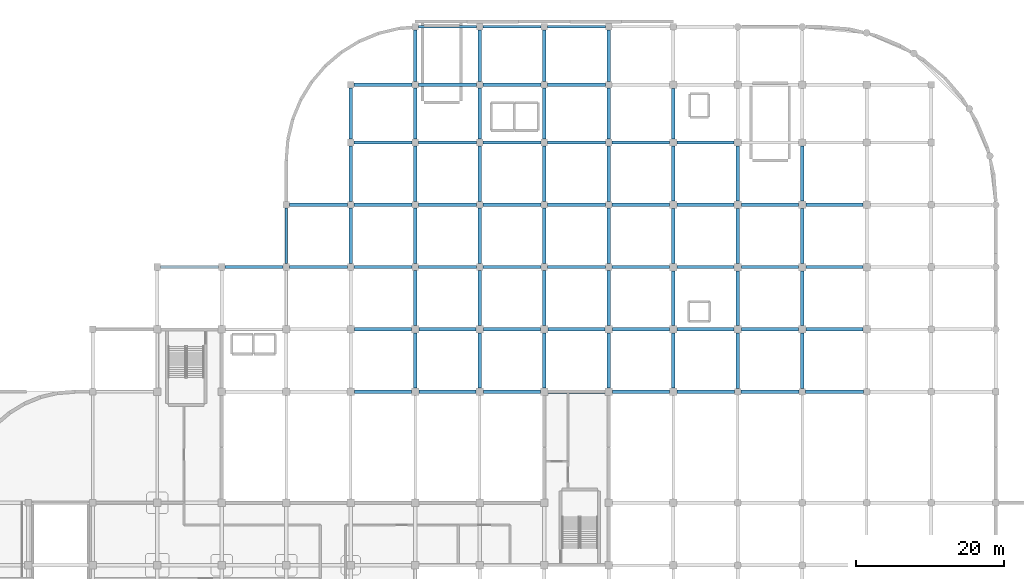
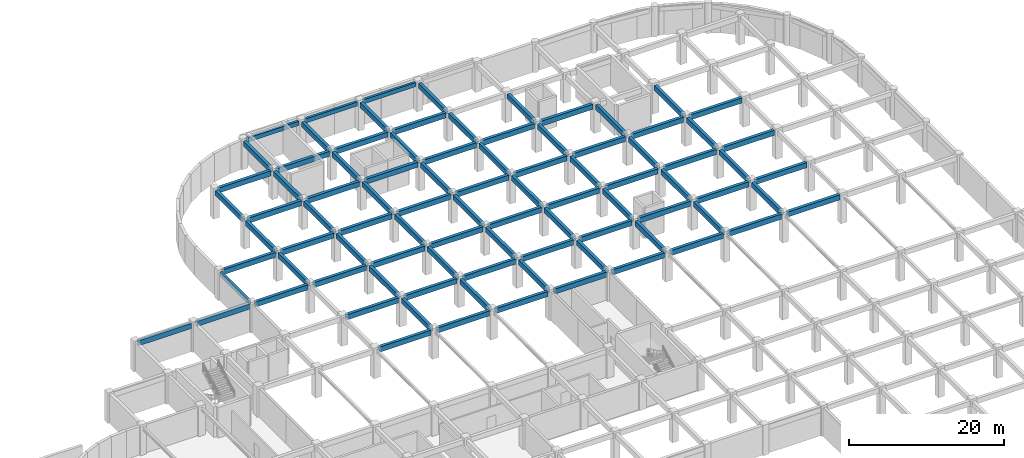
# One storey, part 4 of 19: 90 beams.
"""IFC4 building model written with IfcOpenShell, lengths in metres."""

from ifc_helpers import new_model, si_unit, derived_unit, direction, frame, origin, origin_2d, place, context, subcontext, project, spatial, rectangle, extrude, material, material_profile, profile_set, type_object, element, save


model = new_model("IFC4")

# Units and contexts
model_context = context("Model", 3, precision=1e-05, world=origin(), true_north=direction((0.0, 1.0)))
body_context = subcontext(model_context, "Body", "Model", "MODEL_VIEW")
ifc_project = project(units=[si_unit("LENGTHUNIT", "METRE"), si_unit("AREAUNIT", "SQUARE_METRE"), si_unit("VOLUMEUNIT", "CUBIC_METRE"), si_unit("PLANEANGLEUNIT", "RADIAN"), si_unit("MASSUNIT", "GRAM", prefix="KILO"), derived_unit("THERMALTRANSMITTANCEUNIT", [(si_unit("MASSUNIT", "GRAM", prefix="KILO"), 1), (si_unit("TIMEUNIT", "SECOND"), -3), (si_unit("THERMODYNAMICTEMPERATUREUNIT", "KELVIN"), -1)])], contexts=[model_context])

# Site, building, storey
site_placement = place(None, origin())
site = spatial("IfcSite", under=ifc_project, at=site_placement, CompositionType="ELEMENT")
building_placement = place(site_placement, origin())
building = spatial("IfcBuilding", under=site, at=building_placement, Name="Qinzheling Arcade Emporium", CompositionType="ELEMENT")
storey_placement = place(building_placement, frame((0.0, 0.0, -4.800048828125)))
storey = spatial("IfcBuildingStorey", under=building, at=storey_placement, Name="B1", CompositionType="ELEMENT", Elevation=-4.800048828125)

# Beams
ifc_material = material(Name="Concrete C40", Category="concrete")
ifc_material_profile_1 = material_profile(ifc_material, rectangle(XDim=0.449951171875, YDim=0.800048828125, at=origin_2d()), Name="RC 450x800", Category="concrete")
ifc_profile_set_1 = profile_set([ifc_material_profile_1], Name="Concrete C40")
beam_type_1 = type_object("IfcBeamType", Name="RC Primary Frame Beam 450x800 C40", PredefinedType="BEAM", material=ifc_profile_set_1)
beam_1_placement = place(storey_placement, frame((61.39990234375, 65.39990234375, 4.06005859375), z_axis=(1.0, 0.0, 0.0), x_axis=(0.0, 1.0, 0.0)))
element("IfcBeam", 1, at=beam_1_placement, inside=storey, type_object=beam_type_1, Name="Beam BM-B1-X-H-8", PredefinedType="BEAM", context=body_context, shape_type="SweptSolid", body=[
    extrude(rectangle(XDim=0.449951171875, YDim=0.800048828125, at=origin_2d()), origin(), (0.0, 0.0, 1.0), 7.7001953125),
])
for number, where, z_axis, x_axis, name in (
    (2, (70.10009765625, 65.39990234375, 4.06005859375), (1.0, 0.0, 0.0), (0.0, 1.0, 0.0), "Beam BM-B1-X-H-9"),
    (3, (78.800048828125, 65.39990234375, 4.06005859375), (1.0, 0.0, 0.0), (0.0, 1.0, 0.0), "Beam BM-B1-X-H-10"),
    (4, (87.5, 65.39990234375, 4.06005859375), (1.0, 0.0, 0.0), (0.0, 1.0, 0.0), "Beam BM-B1-X-H-11"),
    (5, (96.199951171875, 65.39990234375, 4.06005859375), (1.0, 0.0, 0.0), (0.0, 1.0, 0.0), "Beam BM-B1-X-H-12"),
):
    element("IfcBeam", number, at=place(storey_placement, frame(where, z_axis=z_axis, x_axis=x_axis)), inside=storey, type_object=beam_type_1, Name=name, PredefinedType="BEAM", context=body_context, shape_type="SweptSolid", body=[
        extrude(rectangle(XDim=0.449951171875, YDim=0.800048828125, at=origin_2d()), origin(), (0.0, 0.0, 1.0), 7.699951171875),
    ])
beam_2_placement = place(storey_placement, frame((104.89990234375, 65.39990234375, 4.06005859375), z_axis=(1.0, 0.0, 0.0), x_axis=(0.0, 1.0, 0.0)))
element("IfcBeam", 6, at=beam_2_placement, inside=storey, type_object=beam_type_1, Name="Beam BM-B1-X-H-13", PredefinedType="BEAM", context=body_context, shape_type="SweptSolid", body=[
    extrude(rectangle(XDim=0.449951171875, YDim=0.800048828125, at=origin_2d()), origin(), (0.0, 0.0, 1.0), 7.75),
])
for number, where, z_axis, x_axis, name in (
    (7, (113.550048828125, 65.39990234375, 4.06005859375), (1.0, 0.0, 0.0), (0.0, 1.0, 0.0), "Beam BM-B1-X-H-14"),
    (8, (122.25, 65.39990234375, 4.06005859375), (1.0, 0.0, 0.0), (0.0, 1.0, 0.0), "Beam BM-B1-X-H-15"),
):
    element("IfcBeam", number, at=place(storey_placement, frame(where, z_axis=z_axis, x_axis=x_axis)), inside=storey, type_object=beam_type_1, Name=name, PredefinedType="BEAM", context=body_context, shape_type="SweptSolid", body=[
        extrude(rectangle(XDim=0.449951171875, YDim=0.800048828125, at=origin_2d()), origin(), (0.0, 0.0, 1.0), 7.800048828125),
    ])
beam_3_placement = place(storey_placement, frame((61.39990234375, 73.800048828125, 4.06005859375), z_axis=(1.0, 0.0, 0.0), x_axis=(0.0, 1.0, 0.0)))
element("IfcBeam", 9, at=beam_3_placement, inside=storey, type_object=beam_type_1, Name="Beam BM-B1-X-J-8", PredefinedType="BEAM", context=body_context, shape_type="SweptSolid", body=[
    extrude(rectangle(XDim=0.449951171875, YDim=0.800048828125, at=origin_2d()), origin(), (0.0, 0.0, 1.0), 7.7001953125),
])
for number, where, z_axis, x_axis, name in (
    (10, (70.10009765625, 73.800048828125, 4.06005859375), (1.0, 0.0, 0.0), (0.0, 1.0, 0.0), "Beam BM-B1-X-J-9"),
    (11, (78.800048828125, 73.800048828125, 4.06005859375), (1.0, 0.0, 0.0), (0.0, 1.0, 0.0), "Beam BM-B1-X-J-10"),
    (12, (87.5, 73.800048828125, 4.06005859375), (1.0, 0.0, 0.0), (0.0, 1.0, 0.0), "Beam BM-B1-X-J-11"),
    (13, (96.199951171875, 73.800048828125, 4.06005859375), (1.0, 0.0, 0.0), (0.0, 1.0, 0.0), "Beam BM-B1-X-J-12"),
):
    element("IfcBeam", number, at=place(storey_placement, frame(where, z_axis=z_axis, x_axis=x_axis)), inside=storey, type_object=beam_type_1, Name=name, PredefinedType="BEAM", context=body_context, shape_type="SweptSolid", body=[
        extrude(rectangle(XDim=0.449951171875, YDim=0.800048828125, at=origin_2d()), origin(), (0.0, 0.0, 1.0), 7.699951171875),
    ])
beam_4_placement = place(storey_placement, frame((104.89990234375, 73.800048828125, 4.06005859375), z_axis=(1.0, 0.0, 0.0), x_axis=(0.0, 1.0, 0.0)))
element("IfcBeam", 14, at=beam_4_placement, inside=storey, type_object=beam_type_1, Name="Beam BM-B1-X-J-13", PredefinedType="BEAM", context=body_context, shape_type="SweptSolid", body=[
    extrude(rectangle(XDim=0.449951171875, YDim=0.800048828125, at=origin_2d()), origin(), (0.0, 0.0, 1.0), 7.7001953125),
])
for number, where, z_axis, x_axis, name in (
    (15, (113.60009765625, 73.800048828125, 4.06005859375), (1.0, 0.0, 0.0), (0.0, 1.0, 0.0), "Beam BM-B1-X-J-14"),
    (16, (122.300048828125, 73.800048828125, 4.06005859375), (1.0, 0.0, 0.0), (0.0, 1.0, 0.0), "Beam BM-B1-X-J-15"),
):
    element("IfcBeam", number, at=place(storey_placement, frame(where, z_axis=z_axis, x_axis=x_axis)), inside=storey, type_object=beam_type_1, Name=name, PredefinedType="BEAM", context=body_context, shape_type="SweptSolid", body=[
        extrude(rectangle(XDim=0.449951171875, YDim=0.800048828125, at=origin_2d()), origin(), (0.0, 0.0, 1.0), 7.699951171875),
    ])
for number, where, z_axis, x_axis, name in (
    (17, (35.25, 82.199951171875, 4.06005859375), (1.0, 0.0, 0.0), (0.0, 1.0, 0.0), "Beam BM-B1-X-K-5"),
    (18, (43.949951171875, 82.199951171875, 4.06005859375), (1.0, 0.0, 0.0), (0.0, 1.0, 0.0), "Beam BM-B1-X-K-6"),
    (19, (52.64990234375, 82.199951171875, 4.06005859375), (1.0, 0.0, 0.0), (0.0, 1.0, 0.0), "Beam BM-B1-X-K-7"),
):
    element("IfcBeam", number, at=place(storey_placement, frame(where, z_axis=z_axis, x_axis=x_axis)), inside=storey, type_object=beam_type_1, Name=name, PredefinedType="BEAM", context=body_context, shape_type="SweptSolid", body=[
        extrude(rectangle(XDim=0.449951171875, YDim=0.800048828125, at=origin_2d()), origin(), (0.0, 0.0, 1.0), 7.800048828125),
    ])
beam_5_placement = place(storey_placement, frame((61.35009765625, 82.199951171875, 4.06005859375), z_axis=(1.0, 0.0, 0.0), x_axis=(0.0, 1.0, 0.0)))
element("IfcBeam", 20, at=beam_5_placement, inside=storey, type_object=beam_type_1, Name="Beam BM-B1-X-K-8", PredefinedType="BEAM", context=body_context, shape_type="SweptSolid", body=[
    extrude(rectangle(XDim=0.449951171875, YDim=0.800048828125, at=origin_2d()), origin(), (0.0, 0.0, 1.0), 7.7998046875),
])
for number, where, z_axis, x_axis, name in (
    (21, (70.050048828125, 82.199951171875, 4.06005859375), (1.0, 0.0, 0.0), (0.0, 1.0, 0.0), "Beam BM-B1-X-K-9"),
    (22, (78.75, 82.199951171875, 4.06005859375), (1.0, 0.0, 0.0), (0.0, 1.0, 0.0), "Beam BM-B1-X-K-10"),
    (23, (87.449951171875, 82.199951171875, 4.06005859375), (1.0, 0.0, 0.0), (0.0, 1.0, 0.0), "Beam BM-B1-X-K-11"),
):
    element("IfcBeam", number, at=place(storey_placement, frame(where, z_axis=z_axis, x_axis=x_axis)), inside=storey, type_object=beam_type_1, Name=name, PredefinedType="BEAM", context=body_context, shape_type="SweptSolid", body=[
        extrude(rectangle(XDim=0.449951171875, YDim=0.800048828125, at=origin_2d()), origin(), (0.0, 0.0, 1.0), 7.800048828125),
    ])
beam_6_placement = place(storey_placement, frame((96.14990234375, 82.199951171875, 4.06005859375), z_axis=(1.0, 0.0, 0.0), x_axis=(0.0, 1.0, 0.0)))
element("IfcBeam", 24, at=beam_6_placement, inside=storey, type_object=beam_type_1, Name="Beam BM-B1-X-K-12", PredefinedType="BEAM", context=body_context, shape_type="SweptSolid", body=[
    extrude(rectangle(XDim=0.449951171875, YDim=0.800048828125, at=origin_2d()), origin(), (0.0, 0.0, 1.0), 7.75),
])
beam_7_placement = place(storey_placement, frame((104.89990234375, 82.199951171875, 4.06005859375), z_axis=(1.0, 0.0, 0.0), x_axis=(0.0, 1.0, 0.0)))
element("IfcBeam", 25, at=beam_7_placement, inside=storey, type_object=beam_type_1, Name="Beam BM-B1-X-K-13", PredefinedType="BEAM", context=body_context, shape_type="SweptSolid", body=[
    extrude(rectangle(XDim=0.449951171875, YDim=0.800048828125, at=origin_2d()), origin(), (0.0, 0.0, 1.0), 7.7001953125),
])
for number, where, z_axis, x_axis, name in (
    (26, (113.60009765625, 82.199951171875, 4.06005859375), (1.0, 0.0, 0.0), (0.0, 1.0, 0.0), "Beam BM-B1-X-K-14"),
    (27, (122.300048828125, 82.199951171875, 4.06005859375), (1.0, 0.0, 0.0), (0.0, 1.0, 0.0), "Beam BM-B1-X-K-15"),
):
    element("IfcBeam", number, at=place(storey_placement, frame(where, z_axis=z_axis, x_axis=x_axis)), inside=storey, type_object=beam_type_1, Name=name, PredefinedType="BEAM", context=body_context, shape_type="SweptSolid", body=[
        extrude(rectangle(XDim=0.449951171875, YDim=0.800048828125, at=origin_2d()), origin(), (0.0, 0.0, 1.0), 7.699951171875),
    ])
beam_8_placement = place(storey_placement, frame((52.64990234375, 90.60009765625, 4.06005859375), z_axis=(1.0, 0.0, 0.0), x_axis=(0.0, 1.0, 0.0)))
element("IfcBeam", 28, at=beam_8_placement, inside=storey, type_object=beam_type_1, Name="Beam BM-B1-X-L-7", PredefinedType="BEAM", context=body_context, shape_type="SweptSolid", body=[
    extrude(rectangle(XDim=0.449951171875, YDim=0.800048828125, at=origin_2d()), origin(), (0.0, 0.0, 1.0), 7.800048828125),
])
beam_9_placement = place(storey_placement, frame((61.35009765625, 90.60009765625, 4.06005859375), z_axis=(1.0, 0.0, 0.0), x_axis=(0.0, 1.0, 0.0)))
element("IfcBeam", 29, at=beam_9_placement, inside=storey, type_object=beam_type_1, Name="Beam BM-B1-X-L-8", PredefinedType="BEAM", context=body_context, shape_type="SweptSolid", body=[
    extrude(rectangle(XDim=0.449951171875, YDim=0.800048828125, at=origin_2d()), origin(), (0.0, 0.0, 1.0), 7.7998046875),
])
for number, where, z_axis, x_axis, name in (
    (30, (70.050048828125, 90.60009765625, 4.06005859375), (1.0, 0.0, 0.0), (0.0, 1.0, 0.0), "Beam BM-B1-X-L-9"),
    (31, (78.75, 90.60009765625, 4.06005859375), (1.0, 0.0, 0.0), (0.0, 1.0, 0.0), "Beam BM-B1-X-L-10"),
    (32, (87.449951171875, 90.60009765625, 4.06005859375), (1.0, 0.0, 0.0), (0.0, 1.0, 0.0), "Beam BM-B1-X-L-11"),
):
    element("IfcBeam", number, at=place(storey_placement, frame(where, z_axis=z_axis, x_axis=x_axis)), inside=storey, type_object=beam_type_1, Name=name, PredefinedType="BEAM", context=body_context, shape_type="SweptSolid", body=[
        extrude(rectangle(XDim=0.449951171875, YDim=0.800048828125, at=origin_2d()), origin(), (0.0, 0.0, 1.0), 7.800048828125),
    ])
beam_10_placement = place(storey_placement, frame((96.14990234375, 90.60009765625, 4.06005859375), z_axis=(1.0, 0.0, 0.0), x_axis=(0.0, 1.0, 0.0)))
element("IfcBeam", 33, at=beam_10_placement, inside=storey, type_object=beam_type_1, Name="Beam BM-B1-X-L-12", PredefinedType="BEAM", context=body_context, shape_type="SweptSolid", body=[
    extrude(rectangle(XDim=0.449951171875, YDim=0.800048828125, at=origin_2d()), origin(), (0.0, 0.0, 1.0), 7.75),
])
beam_11_placement = place(storey_placement, frame((104.89990234375, 90.60009765625, 4.06005859375), z_axis=(1.0, 0.0, 0.0), x_axis=(0.0, 1.0, 0.0)))
element("IfcBeam", 34, at=beam_11_placement, inside=storey, type_object=beam_type_1, Name="Beam BM-B1-X-L-13", PredefinedType="BEAM", context=body_context, shape_type="SweptSolid", body=[
    extrude(rectangle(XDim=0.449951171875, YDim=0.800048828125, at=origin_2d()), origin(), (0.0, 0.0, 1.0), 7.7001953125),
])
for number, where, z_axis, x_axis, name in (
    (35, (113.60009765625, 90.60009765625, 4.06005859375), (1.0, 0.0, 0.0), (0.0, 1.0, 0.0), "Beam BM-B1-X-L-14"),
    (36, (122.300048828125, 90.60009765625, 4.06005859375), (1.0, 0.0, 0.0), (0.0, 1.0, 0.0), "Beam BM-B1-X-L-15"),
):
    element("IfcBeam", number, at=place(storey_placement, frame(where, z_axis=z_axis, x_axis=x_axis)), inside=storey, type_object=beam_type_1, Name=name, PredefinedType="BEAM", context=body_context, shape_type="SweptSolid", body=[
        extrude(rectangle(XDim=0.449951171875, YDim=0.800048828125, at=origin_2d()), origin(), (0.0, 0.0, 1.0), 7.699951171875),
    ])
beam_12_placement = place(storey_placement, frame((61.35009765625, 99.0, 4.06005859375), z_axis=(1.0, 0.0, 0.0), x_axis=(0.0, 1.0, 0.0)))
element("IfcBeam", 37, at=beam_12_placement, inside=storey, type_object=beam_type_1, Name="Beam BM-B1-X-M-8", PredefinedType="BEAM", context=body_context, shape_type="SweptSolid", body=[
    extrude(rectangle(XDim=0.449951171875, YDim=0.800048828125, at=origin_2d()), origin(), (0.0, 0.0, 1.0), 7.7998046875),
])
for number, where, z_axis, x_axis, name in (
    (38, (70.050048828125, 99.0, 4.06005859375), (1.0, 0.0, 0.0), (0.0, 1.0, 0.0), "Beam BM-B1-X-M-9"),
    (39, (78.75, 99.0, 4.06005859375), (1.0, 0.0, 0.0), (0.0, 1.0, 0.0), "Beam BM-B1-X-M-10"),
    (40, (87.449951171875, 99.0, 4.06005859375), (1.0, 0.0, 0.0), (0.0, 1.0, 0.0), "Beam BM-B1-X-M-11"),
):
    element("IfcBeam", number, at=place(storey_placement, frame(where, z_axis=z_axis, x_axis=x_axis)), inside=storey, type_object=beam_type_1, Name=name, PredefinedType="BEAM", context=body_context, shape_type="SweptSolid", body=[
        extrude(rectangle(XDim=0.449951171875, YDim=0.800048828125, at=origin_2d()), origin(), (0.0, 0.0, 1.0), 7.800048828125),
    ])
beam_13_placement = place(storey_placement, frame((96.14990234375, 99.0, 4.06005859375), z_axis=(1.0, 0.0, 0.0), x_axis=(0.0, 1.0, 0.0)))
element("IfcBeam", 41, at=beam_13_placement, inside=storey, type_object=beam_type_1, Name="Beam BM-B1-X-M-12", PredefinedType="BEAM", context=body_context, shape_type="SweptSolid", body=[
    extrude(rectangle(XDim=0.449951171875, YDim=0.800048828125, at=origin_2d()), origin(), (0.0, 0.0, 1.0), 7.75),
])
beam_14_placement = place(storey_placement, frame((104.89990234375, 99.0, 4.06005859375), z_axis=(1.0, 0.0, 0.0), x_axis=(0.0, 1.0, 0.0)))
element("IfcBeam", 42, at=beam_14_placement, inside=storey, type_object=beam_type_1, Name="Beam BM-B1-X-M-13", PredefinedType="BEAM", context=body_context, shape_type="SweptSolid", body=[
    extrude(rectangle(XDim=0.449951171875, YDim=0.800048828125, at=origin_2d()), origin(), (0.0, 0.0, 1.0), 7.7001953125),
])
beam_15_placement = place(storey_placement, frame((61.35009765625, 106.800048828125, 4.06005859375), z_axis=(1.0, 0.0, 0.0), x_axis=(0.0, 1.0, 0.0)))
element("IfcBeam", 43, at=beam_15_placement, inside=storey, type_object=beam_type_1, Name="Beam BM-B1-X-N-8", PredefinedType="BEAM", context=body_context, shape_type="SweptSolid", body=[
    extrude(rectangle(XDim=0.449951171875, YDim=0.800048828125, at=origin_2d()), origin(), (0.0, 0.0, 1.0), 7.7998046875),
])
for number, where, z_axis, x_axis, name in (
    (44, (70.050048828125, 106.800048828125, 4.06005859375), (1.0, 0.0, 0.0), (0.0, 1.0, 0.0), "Beam BM-B1-X-N-9"),
    (45, (78.75, 106.800048828125, 4.06005859375), (1.0, 0.0, 0.0), (0.0, 1.0, 0.0), "Beam BM-B1-X-N-10"),
    (46, (87.449951171875, 106.800048828125, 4.06005859375), (1.0, 0.0, 0.0), (0.0, 1.0, 0.0), "Beam BM-B1-X-N-11"),
):
    element("IfcBeam", number, at=place(storey_placement, frame(where, z_axis=z_axis, x_axis=x_axis)), inside=storey, type_object=beam_type_1, Name=name, PredefinedType="BEAM", context=body_context, shape_type="SweptSolid", body=[
        extrude(rectangle(XDim=0.449951171875, YDim=0.800048828125, at=origin_2d()), origin(), (0.0, 0.0, 1.0), 7.800048828125),
    ])
for number, where, z_axis, x_axis, name in (
    (47, (60.89990234375, 82.64990234375, 4.06005859375), (0.0, 1.0, 0.0), (-1.0, 0.0, 0.0), "Beam BM-B1-Y-8-K"),
    (48, (60.89990234375, 91.050048828125, 4.06005859375), (0.0, 1.0, 0.0), (-1.0, 0.0, 0.0), "Beam BM-B1-Y-8-L"),
):
    element("IfcBeam", number, at=place(storey_placement, frame(where, z_axis=z_axis, x_axis=x_axis)), inside=storey, type_object=beam_type_1, Name=name, PredefinedType="BEAM", context=body_context, shape_type="SweptSolid", body=[
        extrude(rectangle(XDim=0.449951171875, YDim=0.800048828125, at=origin_2d()), origin(), (0.0, 0.0, 1.0), 7.5),
    ])
beam_16_placement = place(storey_placement, frame((60.89990234375, 99.449951171875, 4.06005859375), z_axis=(0.0, 1.0, 0.0), x_axis=(-1.0, 0.0, 0.0)))
element("IfcBeam", 49, at=beam_16_placement, inside=storey, type_object=beam_type_1, Name="Beam BM-B1-Y-8-M", PredefinedType="BEAM", context=body_context, shape_type="SweptSolid", body=[
    extrude(rectangle(XDim=0.449951171875, YDim=0.800048828125, at=origin_2d()), origin(), (0.0, 0.0, 1.0), 6.900146484375),
])
beam_17_placement = place(storey_placement, frame((69.60009765625, 65.89990234375, 4.06005859375), z_axis=(0.0, 1.0, 0.0), x_axis=(-1.0, 0.0, 0.0)))
element("IfcBeam", 50, at=beam_17_placement, inside=storey, type_object=beam_type_1, Name="Beam BM-B1-Y-9-H", PredefinedType="BEAM", context=body_context, shape_type="SweptSolid", body=[
    extrude(rectangle(XDim=0.449951171875, YDim=0.800048828125, at=origin_2d()), origin(), (0.0, 0.0, 1.0), 7.400146484375),
])
beam_18_placement = place(storey_placement, frame((69.60009765625, 74.300048828125, 4.06005859375), z_axis=(0.0, 1.0, 0.0), x_axis=(-1.0, 0.0, 0.0)))
element("IfcBeam", 51, at=beam_18_placement, inside=storey, type_object=beam_type_1, Name="Beam BM-B1-Y-9-J", PredefinedType="BEAM", context=body_context, shape_type="SweptSolid", body=[
    extrude(rectangle(XDim=0.449951171875, YDim=0.800048828125, at=origin_2d()), origin(), (0.0, 0.0, 1.0), 7.449951171875),
])
for number, where, z_axis, x_axis, name in (
    (52, (69.60009765625, 82.64990234375, 4.06005859375), (0.0, 1.0, 0.0), (-1.0, 0.0, 0.0), "Beam BM-B1-Y-9-K"),
    (53, (69.60009765625, 91.050048828125, 4.06005859375), (0.0, 1.0, 0.0), (-1.0, 0.0, 0.0), "Beam BM-B1-Y-9-L"),
):
    element("IfcBeam", number, at=place(storey_placement, frame(where, z_axis=z_axis, x_axis=x_axis)), inside=storey, type_object=beam_type_1, Name=name, PredefinedType="BEAM", context=body_context, shape_type="SweptSolid", body=[
        extrude(rectangle(XDim=0.449951171875, YDim=0.800048828125, at=origin_2d()), origin(), (0.0, 0.0, 1.0), 7.5),
    ])
beam_19_placement = place(storey_placement, frame((69.60009765625, 99.449951171875, 4.06005859375), z_axis=(0.0, 1.0, 0.0), x_axis=(-1.0, 0.0, 0.0)))
element("IfcBeam", 54, at=beam_19_placement, inside=storey, type_object=beam_type_1, Name="Beam BM-B1-Y-9-M", PredefinedType="BEAM", context=body_context, shape_type="SweptSolid", body=[
    extrude(rectangle(XDim=0.449951171875, YDim=0.800048828125, at=origin_2d()), origin(), (0.0, 0.0, 1.0), 6.900146484375),
])
beam_20_placement = place(storey_placement, frame((69.60009765625, 107.25, 4.06005859375), z_axis=(0.0, 1.0, 0.0), x_axis=(-1.0, 0.0, 0.0)))
element("IfcBeam", 55, at=beam_20_placement, inside=storey, type_object=beam_type_1, Name="Beam BM-B1-Y-9-N", PredefinedType="BEAM", context=body_context, shape_type="SweptSolid", body=[
    extrude(rectangle(XDim=0.449951171875, YDim=0.800048828125, at=origin_2d()), origin(), (0.0, 0.0, 1.0), 6.89990234375),
])
beam_21_placement = place(storey_placement, frame((78.300048828125, 65.89990234375, 4.06005859375), z_axis=(0.0, 1.0, 0.0), x_axis=(-1.0, 0.0, 0.0)))
element("IfcBeam", 56, at=beam_21_placement, inside=storey, type_object=beam_type_1, Name="Beam BM-B1-Y-10-H", PredefinedType="BEAM", context=body_context, shape_type="SweptSolid", body=[
    extrude(rectangle(XDim=0.449951171875, YDim=0.800048828125, at=origin_2d()), origin(), (0.0, 0.0, 1.0), 7.400146484375),
])
beam_22_placement = place(storey_placement, frame((78.300048828125, 74.300048828125, 4.06005859375), z_axis=(0.0, 1.0, 0.0), x_axis=(-1.0, 0.0, 0.0)))
element("IfcBeam", 57, at=beam_22_placement, inside=storey, type_object=beam_type_1, Name="Beam BM-B1-Y-10-J", PredefinedType="BEAM", context=body_context, shape_type="SweptSolid", body=[
    extrude(rectangle(XDim=0.449951171875, YDim=0.800048828125, at=origin_2d()), origin(), (0.0, 0.0, 1.0), 7.449951171875),
])
for number, where, z_axis, x_axis, name in (
    (58, (78.300048828125, 82.64990234375, 4.06005859375), (0.0, 1.0, 0.0), (-1.0, 0.0, 0.0), "Beam BM-B1-Y-10-K"),
    (59, (78.300048828125, 91.050048828125, 4.06005859375), (0.0, 1.0, 0.0), (-1.0, 0.0, 0.0), "Beam BM-B1-Y-10-L"),
):
    element("IfcBeam", number, at=place(storey_placement, frame(where, z_axis=z_axis, x_axis=x_axis)), inside=storey, type_object=beam_type_1, Name=name, PredefinedType="BEAM", context=body_context, shape_type="SweptSolid", body=[
        extrude(rectangle(XDim=0.449951171875, YDim=0.800048828125, at=origin_2d()), origin(), (0.0, 0.0, 1.0), 7.5),
    ])
beam_23_placement = place(storey_placement, frame((78.300048828125, 99.449951171875, 4.06005859375), z_axis=(0.0, 1.0, 0.0), x_axis=(-1.0, 0.0, 0.0)))
element("IfcBeam", 60, at=beam_23_placement, inside=storey, type_object=beam_type_1, Name="Beam BM-B1-Y-10-M", PredefinedType="BEAM", context=body_context, shape_type="SweptSolid", body=[
    extrude(rectangle(XDim=0.449951171875, YDim=0.800048828125, at=origin_2d()), origin(), (0.0, 0.0, 1.0), 6.900146484375),
])
beam_24_placement = place(storey_placement, frame((78.300048828125, 107.25, 4.06005859375), z_axis=(0.0, 1.0, 0.0), x_axis=(-1.0, 0.0, 0.0)))
element("IfcBeam", 61, at=beam_24_placement, inside=storey, type_object=beam_type_1, Name="Beam BM-B1-Y-10-N", PredefinedType="BEAM", context=body_context, shape_type="SweptSolid", body=[
    extrude(rectangle(XDim=0.449951171875, YDim=0.800048828125, at=origin_2d()), origin(), (0.0, 0.0, 1.0), 6.89990234375),
])
beam_25_placement = place(storey_placement, frame((87.0, 65.89990234375, 4.06005859375), z_axis=(0.0, 1.0, 0.0), x_axis=(-1.0, 0.0, 0.0)))
element("IfcBeam", 62, at=beam_25_placement, inside=storey, type_object=beam_type_1, Name="Beam BM-B1-Y-11-H", PredefinedType="BEAM", context=body_context, shape_type="SweptSolid", body=[
    extrude(rectangle(XDim=0.449951171875, YDim=0.800048828125, at=origin_2d()), origin(), (0.0, 0.0, 1.0), 7.400146484375),
])
beam_26_placement = place(storey_placement, frame((87.0, 74.300048828125, 4.06005859375), z_axis=(0.0, 1.0, 0.0), x_axis=(-1.0, 0.0, 0.0)))
element("IfcBeam", 63, at=beam_26_placement, inside=storey, type_object=beam_type_1, Name="Beam BM-B1-Y-11-J", PredefinedType="BEAM", context=body_context, shape_type="SweptSolid", body=[
    extrude(rectangle(XDim=0.449951171875, YDim=0.800048828125, at=origin_2d()), origin(), (0.0, 0.0, 1.0), 7.449951171875),
])
for number, where, z_axis, x_axis, name in (
    (64, (87.0, 82.64990234375, 4.06005859375), (0.0, 1.0, 0.0), (-1.0, 0.0, 0.0), "Beam BM-B1-Y-11-K"),
    (65, (87.0, 91.050048828125, 4.06005859375), (0.0, 1.0, 0.0), (-1.0, 0.0, 0.0), "Beam BM-B1-Y-11-L"),
):
    element("IfcBeam", number, at=place(storey_placement, frame(where, z_axis=z_axis, x_axis=x_axis)), inside=storey, type_object=beam_type_1, Name=name, PredefinedType="BEAM", context=body_context, shape_type="SweptSolid", body=[
        extrude(rectangle(XDim=0.449951171875, YDim=0.800048828125, at=origin_2d()), origin(), (0.0, 0.0, 1.0), 7.5),
    ])
beam_27_placement = place(storey_placement, frame((87.0, 99.449951171875, 4.06005859375), z_axis=(0.0, 1.0, 0.0), x_axis=(-1.0, 0.0, 0.0)))
element("IfcBeam", 66, at=beam_27_placement, inside=storey, type_object=beam_type_1, Name="Beam BM-B1-Y-11-M", PredefinedType="BEAM", context=body_context, shape_type="SweptSolid", body=[
    extrude(rectangle(XDim=0.449951171875, YDim=0.800048828125, at=origin_2d()), origin(), (0.0, 0.0, 1.0), 6.900146484375),
])
beam_28_placement = place(storey_placement, frame((87.0, 107.25, 4.06005859375), z_axis=(0.0, 1.0, 0.0), x_axis=(-1.0, 0.0, 0.0)))
element("IfcBeam", 67, at=beam_28_placement, inside=storey, type_object=beam_type_1, Name="Beam BM-B1-Y-11-N", PredefinedType="BEAM", context=body_context, shape_type="SweptSolid", body=[
    extrude(rectangle(XDim=0.449951171875, YDim=0.800048828125, at=origin_2d()), origin(), (0.0, 0.0, 1.0), 6.89990234375),
])
beam_29_placement = place(storey_placement, frame((95.699951171875, 65.89990234375, 4.06005859375), z_axis=(0.0, 1.0, 0.0), x_axis=(-1.0, 0.0, 0.0)))
element("IfcBeam", 68, at=beam_29_placement, inside=storey, type_object=beam_type_1, Name="Beam BM-B1-Y-12-H", PredefinedType="BEAM", context=body_context, shape_type="SweptSolid", body=[
    extrude(rectangle(XDim=0.449951171875, YDim=0.800048828125, at=origin_2d()), origin(), (0.0, 0.0, 1.0), 7.400146484375),
])
beam_30_placement = place(storey_placement, frame((95.699951171875, 74.300048828125, 4.06005859375), z_axis=(0.0, 1.0, 0.0), x_axis=(-1.0, 0.0, 0.0)))
element("IfcBeam", 69, at=beam_30_placement, inside=storey, type_object=beam_type_1, Name="Beam BM-B1-Y-12-J", PredefinedType="BEAM", context=body_context, shape_type="SweptSolid", body=[
    extrude(rectangle(XDim=0.449951171875, YDim=0.800048828125, at=origin_2d()), origin(), (0.0, 0.0, 1.0), 7.449951171875),
])
for number, where, z_axis, x_axis, name in (
    (70, (95.699951171875, 82.64990234375, 4.06005859375), (0.0, 1.0, 0.0), (-1.0, 0.0, 0.0), "Beam BM-B1-Y-12-K"),
    (71, (95.699951171875, 91.050048828125, 4.06005859375), (0.0, 1.0, 0.0), (-1.0, 0.0, 0.0), "Beam BM-B1-Y-12-L"),
):
    element("IfcBeam", number, at=place(storey_placement, frame(where, z_axis=z_axis, x_axis=x_axis)), inside=storey, type_object=beam_type_1, Name=name, PredefinedType="BEAM", context=body_context, shape_type="SweptSolid", body=[
        extrude(rectangle(XDim=0.449951171875, YDim=0.800048828125, at=origin_2d()), origin(), (0.0, 0.0, 1.0), 7.5),
    ])
beam_31_placement = place(storey_placement, frame((95.699951171875, 99.449951171875, 4.06005859375), z_axis=(0.0, 1.0, 0.0), x_axis=(-1.0, 0.0, 0.0)))
element("IfcBeam", 72, at=beam_31_placement, inside=storey, type_object=beam_type_1, Name="Beam BM-B1-Y-12-M", PredefinedType="BEAM", context=body_context, shape_type="SweptSolid", body=[
    extrude(rectangle(XDim=0.449951171875, YDim=0.800048828125, at=origin_2d()), origin(), (0.0, 0.0, 1.0), 6.900146484375),
])
beam_32_placement = place(storey_placement, frame((95.699951171875, 107.25, 4.06005859375), z_axis=(0.0, 1.0, 0.0), x_axis=(-1.0, 0.0, 0.0)))
element("IfcBeam", 73, at=beam_32_placement, inside=storey, type_object=beam_type_1, Name="Beam BM-B1-Y-12-N", PredefinedType="BEAM", context=body_context, shape_type="SweptSolid", body=[
    extrude(rectangle(XDim=0.449951171875, YDim=0.800048828125, at=origin_2d()), origin(), (0.0, 0.0, 1.0), 6.89990234375),
])
beam_33_placement = place(storey_placement, frame((104.39990234375, 65.89990234375, 4.06005859375), z_axis=(0.0, 1.0, 0.0), x_axis=(-1.0, 0.0, 0.0)))
element("IfcBeam", 74, at=beam_33_placement, inside=storey, type_object=beam_type_1, Name="Beam BM-B1-Y-13-H", PredefinedType="BEAM", context=body_context, shape_type="SweptSolid", body=[
    extrude(rectangle(XDim=0.449951171875, YDim=0.800048828125, at=origin_2d()), origin(), (0.0, 0.0, 1.0), 7.400146484375),
])
beam_34_placement = place(storey_placement, frame((104.39990234375, 74.300048828125, 4.06005859375), z_axis=(0.0, 1.0, 0.0), x_axis=(-1.0, 0.0, 0.0)))
element("IfcBeam", 75, at=beam_34_placement, inside=storey, type_object=beam_type_1, Name="Beam BM-B1-Y-13-J", PredefinedType="BEAM", context=body_context, shape_type="SweptSolid", body=[
    extrude(rectangle(XDim=0.449951171875, YDim=0.800048828125, at=origin_2d()), origin(), (0.0, 0.0, 1.0), 7.39990234375),
])
beam_35_placement = place(storey_placement, frame((104.39990234375, 82.699951171875, 4.06005859375), z_axis=(0.0, 1.0, 0.0), x_axis=(-1.0, 0.0, 0.0)))
element("IfcBeam", 76, at=beam_35_placement, inside=storey, type_object=beam_type_1, Name="Beam BM-B1-Y-13-K", PredefinedType="BEAM", context=body_context, shape_type="SweptSolid", body=[
    extrude(rectangle(XDim=0.449951171875, YDim=0.800048828125, at=origin_2d()), origin(), (0.0, 0.0, 1.0), 7.400146484375),
])
beam_36_placement = place(storey_placement, frame((104.39990234375, 91.10009765625, 4.06005859375), z_axis=(0.0, 1.0, 0.0), x_axis=(-1.0, 0.0, 0.0)))
element("IfcBeam", 77, at=beam_36_placement, inside=storey, type_object=beam_type_1, Name="Beam BM-B1-Y-13-L", PredefinedType="BEAM", context=body_context, shape_type="SweptSolid", body=[
    extrude(rectangle(XDim=0.449951171875, YDim=0.800048828125, at=origin_2d()), origin(), (0.0, 0.0, 1.0), 7.39990234375),
])
beam_37_placement = place(storey_placement, frame((104.39990234375, 99.5, 4.06005859375), z_axis=(0.0, 1.0, 0.0), x_axis=(-1.0, 0.0, 0.0)))
element("IfcBeam", 78, at=beam_37_placement, inside=storey, type_object=beam_type_1, Name="Beam BM-B1-Y-13-M", PredefinedType="BEAM", context=body_context, shape_type="SweptSolid", body=[
    extrude(rectangle(XDim=0.449951171875, YDim=0.800048828125, at=origin_2d()), origin(), (0.0, 0.0, 1.0), 6.800048828125),
])
beam_38_placement = place(storey_placement, frame((113.10009765625, 65.85009765625, 4.06005859375), z_axis=(0.0, 1.0, 0.0), x_axis=(-1.0, 0.0, 0.0)))
element("IfcBeam", 79, at=beam_38_placement, inside=storey, type_object=beam_type_1, Name="Beam BM-B1-Y-14-H", PredefinedType="BEAM", context=body_context, shape_type="SweptSolid", body=[
    extrude(rectangle(XDim=0.449951171875, YDim=0.800048828125, at=origin_2d()), origin(), (0.0, 0.0, 1.0), 7.449951171875),
])
beam_39_placement = place(storey_placement, frame((113.10009765625, 74.300048828125, 4.06005859375), z_axis=(0.0, 1.0, 0.0), x_axis=(-1.0, 0.0, 0.0)))
element("IfcBeam", 80, at=beam_39_placement, inside=storey, type_object=beam_type_1, Name="Beam BM-B1-Y-14-J", PredefinedType="BEAM", context=body_context, shape_type="SweptSolid", body=[
    extrude(rectangle(XDim=0.449951171875, YDim=0.800048828125, at=origin_2d()), origin(), (0.0, 0.0, 1.0), 7.39990234375),
])
beam_40_placement = place(storey_placement, frame((113.10009765625, 82.699951171875, 4.06005859375), z_axis=(0.0, 1.0, 0.0), x_axis=(-1.0, 0.0, 0.0)))
element("IfcBeam", 81, at=beam_40_placement, inside=storey, type_object=beam_type_1, Name="Beam BM-B1-Y-14-K", PredefinedType="BEAM", context=body_context, shape_type="SweptSolid", body=[
    extrude(rectangle(XDim=0.449951171875, YDim=0.800048828125, at=origin_2d()), origin(), (0.0, 0.0, 1.0), 7.400146484375),
])
beam_41_placement = place(storey_placement, frame((113.10009765625, 91.10009765625, 4.06005859375), z_axis=(0.0, 1.0, 0.0), x_axis=(-1.0, 0.0, 0.0)))
element("IfcBeam", 82, at=beam_41_placement, inside=storey, type_object=beam_type_1, Name="Beam BM-B1-Y-14-L", PredefinedType="BEAM", context=body_context, shape_type="SweptSolid", body=[
    extrude(rectangle(XDim=0.449951171875, YDim=0.800048828125, at=origin_2d()), origin(), (0.0, 0.0, 1.0), 7.39990234375),
])
beam_42_placement = place(storey_placement, frame((121.800048828125, 65.85009765625, 4.06005859375), z_axis=(0.0, 1.0, 0.0), x_axis=(-1.0, 0.0, 0.0)))
element("IfcBeam", 83, at=beam_42_placement, inside=storey, type_object=beam_type_1, Name="Beam BM-B1-Y-15-H", PredefinedType="BEAM", context=body_context, shape_type="SweptSolid", body=[
    extrude(rectangle(XDim=0.449951171875, YDim=0.800048828125, at=origin_2d()), origin(), (0.0, 0.0, 1.0), 7.449951171875),
])
beam_43_placement = place(storey_placement, frame((121.800048828125, 74.300048828125, 4.06005859375), z_axis=(0.0, 1.0, 0.0), x_axis=(-1.0, 0.0, 0.0)))
element("IfcBeam", 84, at=beam_43_placement, inside=storey, type_object=beam_type_1, Name="Beam BM-B1-Y-15-J", PredefinedType="BEAM", context=body_context, shape_type="SweptSolid", body=[
    extrude(rectangle(XDim=0.449951171875, YDim=0.800048828125, at=origin_2d()), origin(), (0.0, 0.0, 1.0), 7.39990234375),
])
beam_44_placement = place(storey_placement, frame((121.800048828125, 82.699951171875, 4.06005859375), z_axis=(0.0, 1.0, 0.0), x_axis=(-1.0, 0.0, 0.0)))
element("IfcBeam", 85, at=beam_44_placement, inside=storey, type_object=beam_type_1, Name="Beam BM-B1-Y-15-K", PredefinedType="BEAM", context=body_context, shape_type="SweptSolid", body=[
    extrude(rectangle(XDim=0.449951171875, YDim=0.800048828125, at=origin_2d()), origin(), (0.0, 0.0, 1.0), 7.400146484375),
])
beam_45_placement = place(storey_placement, frame((121.800048828125, 91.10009765625, 4.06005859375), z_axis=(0.0, 1.0, 0.0), x_axis=(-1.0, 0.0, 0.0)))
element("IfcBeam", 86, at=beam_45_placement, inside=storey, type_object=beam_type_1, Name="Beam BM-B1-Y-15-L", PredefinedType="BEAM", context=body_context, shape_type="SweptSolid", body=[
    extrude(rectangle(XDim=0.449951171875, YDim=0.800048828125, at=origin_2d()), origin(), (0.0, 0.0, 1.0), 7.39990234375),
])
ifc_material_profile_2 = material_profile(ifc_material, rectangle(XDim=0.35009765625, YDim=0.64990234375, at=origin_2d()), Name="RC 350x650", Category="concrete")
ifc_profile_set_2 = profile_set([ifc_material_profile_2], Name="Concrete C40")
beam_type_2 = type_object("IfcBeamType", Name="RC Spandrel Edge Beam 350x650 C40", PredefinedType="SPANDREL", material=ifc_profile_set_2)
for number, where, z_axis, x_axis, name in (
    (87, (70.050048828125, 114.60009765625, 4.135009765625), (1.0, 0.0, 0.0), (0.0, 1.0, 0.0), "Beam BM-B1-X-P-9"),
    (88, (78.75, 114.60009765625, 4.135009765625), (1.0, 0.0, 0.0), (0.0, 1.0, 0.0), "Beam BM-B1-X-P-10"),
    (89, (87.449951171875, 114.60009765625, 4.135009765625), (1.0, 0.0, 0.0), (0.0, 1.0, 0.0), "Beam BM-B1-X-P-11"),
):
    element("IfcBeam", number, at=place(storey_placement, frame(where, z_axis=z_axis, x_axis=x_axis)), inside=storey, type_object=beam_type_2, Name=name, PredefinedType="SPANDREL", context=body_context, shape_type="SweptSolid", body=[
        extrude(rectangle(XDim=0.35009765625, YDim=0.64990234375, at=origin_2d()), origin(), (0.0, 0.0, 1.0), 7.800048828125),
    ])
beam_46_placement = place(storey_placement, frame((52.199951171875, 82.64990234375, 4.135009765625), z_axis=(0.0, 1.0, 0.0), x_axis=(-1.0, 0.0, 0.0)))
element("IfcBeam", 90, at=beam_46_placement, inside=storey, type_object=beam_type_2, Name="Beam BM-B1-Y-7-K", PredefinedType="SPANDREL", context=body_context, shape_type="SweptSolid", body=[
    extrude(rectangle(XDim=0.35009765625, YDim=0.64990234375, at=origin_2d()), origin(), (0.0, 0.0, 1.0), 7.5),
])

save(model, "model.ifc")
